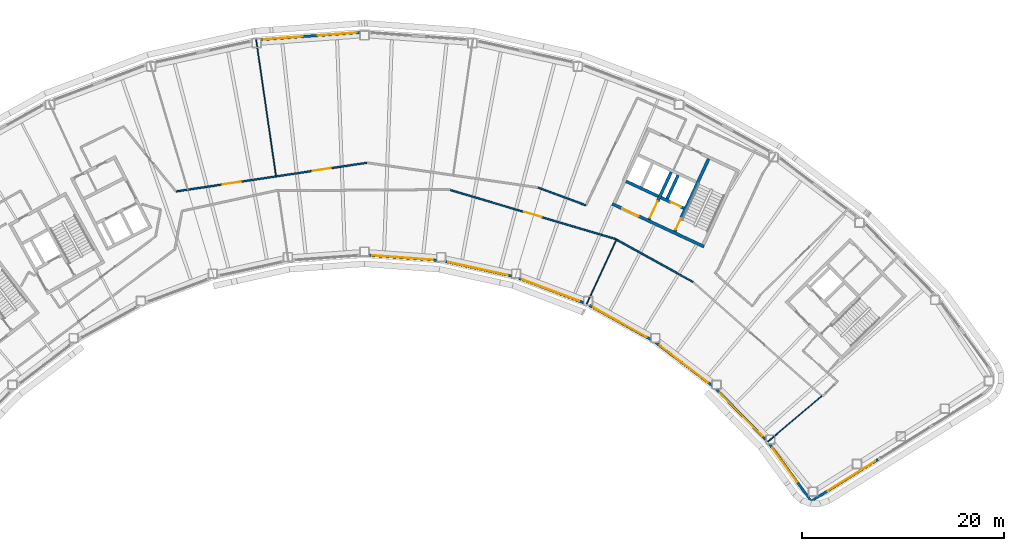
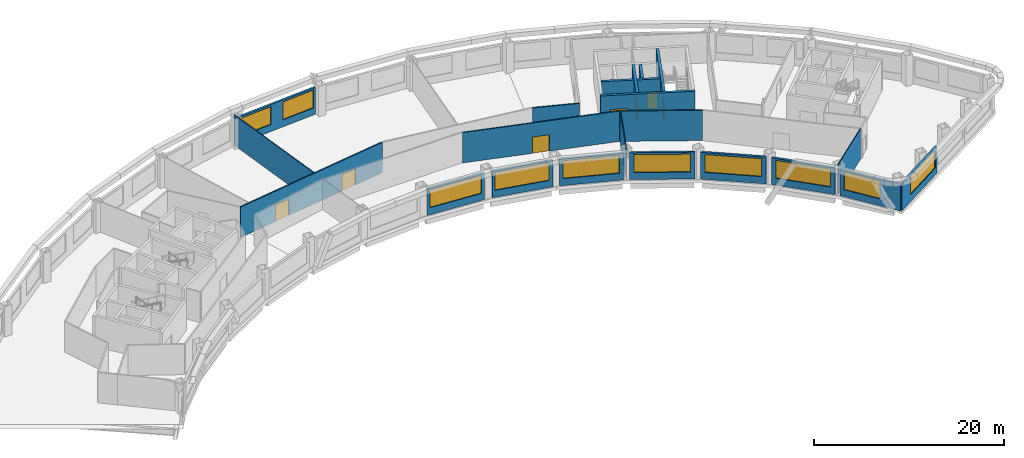
# One storey, part 7 of 12: 22 walls, 10 windows, 7 doors, 17 openings.
"""IFC4 building model written with IfcOpenShell, lengths in metres."""

from ifc_helpers import new_model, si_unit, direction, frame, frame_2d, origin, place, context, subcontext, project, spatial, rectangle, extrude, material, layer, layer_set, type_object, element, fill, save


model = new_model("IFC4")

# Units and contexts
model_context = context("Model", 3, precision=1e-05, world=origin(), true_north=direction((0.0, 1.0)))
body_context = subcontext(model_context, "Body", "Model", "MODEL_VIEW")
ifc_project = project(units=[si_unit("LENGTHUNIT", "METRE"), si_unit("AREAUNIT", "SQUARE_METRE"), si_unit("VOLUMEUNIT", "CUBIC_METRE"), si_unit("PLANEANGLEUNIT", "RADIAN"), si_unit("MASSUNIT", "GRAM", prefix="KILO")], contexts=[model_context])

# Site, building, storey
site_placement = place(None, origin())
site = spatial("IfcSite", under=ifc_project, at=site_placement, CompositionType="ELEMENT")
building_placement = place(site_placement, origin())
building = spatial("IfcBuilding", under=site, at=building_placement, Name="Tuul Gate Civic Tower", CompositionType="ELEMENT")
storey_placement = place(building_placement, frame((0.0, 0.0, 176.300048828125)))
storey = spatial("IfcBuildingStorey", under=building, at=storey_placement, Name="Level 40", CompositionType="ELEMENT", Elevation=176.300048828125)

# Wall, opening, door
ifc_material_1 = material(Name="Concrete C50/60", Category="concrete")
ifc_layer_1 = layer(ifc_material_1, 0.300048828125)
ifc_layer_set_1 = layer_set([ifc_layer_1], Name="Concrete C50/60")
wall_type_1 = type_object("IfcWallType", Name="Core wall C50/60", PredefinedType="SHEAR", material=ifc_layer_set_1)
wall_1_placement = place(storey_placement, frame((34.5283203125, -7.25, 0.0), z_axis=(0.0, 0.0, 1.0), x_axis=(-0.906310338845, 0.422612789327, 0.0)))
wall_1 = element("IfcWall", 1, at=wall_1_placement, inside=storey, type_object=wall_type_1, Name="Core wall", PredefinedType="SHEAR", context=body_context, shape_type="SweptSolid", body=[
    extrude(rectangle(XDim=9.999755859375, YDim=0.300048828125, at=frame_2d((5.0, 0.0))), origin(), (0.0, 0.0, 1.0), 3.89990234375),
])
opening_1_placement = place(wall_1_placement, frame((7.125, 0.0, 0.0)))
opening_1 = element("IfcOpeningElement", 2, at=opening_1_placement, cuts=wall_1, Name="Opening LB-E3-LOBBY-1", PredefinedType="OPENING", context=body_context, shape_type="SweptSolid", body=[
    extrude(rectangle(XDim=1.800048828125, YDim=2.10009765625, at=frame_2d((0.89990234375, 1.050048828125))), frame((0.0, 0.16015625, 0.0), z_axis=(0.0, -1.0, 0.0), x_axis=(1.0, 0.0, 0.0)), (0.0, 0.0, 1.0), 0.320068359375),
])
ifc_material_2 = material(Name="Steel", Category="steel")
door_type_1 = type_object("IfcDoorType", Name="Lobby door", OperationType="DOUBLE_DOOR_SINGLE_SWING", PredefinedType="DOOR", material=ifc_material_2)
door_1_placement = place(opening_1_placement, frame((1.800048828125, 0.0, 0.0), z_axis=(0.0, 0.0, 1.0), x_axis=(-1.0, 0.0, 0.0)))
door_1 = element("IfcDoor", 3, at=door_1_placement, inside=storey, type_object=door_type_1, Name="Lobby door E3-LOBBY", OperationType="DOUBLE_DOOR_SINGLE_SWING", OverallHeight=2.10009765625, OverallWidth=1.800048828125, PredefinedType="DOOR", context=body_context, shape_type="SweptSolid", body=[
    extrude(rectangle(XDim=1.800048828125, YDim=2.10009765625, at=frame_2d((0.900146484375, 1.050048828125))), frame((0.0, 0.02490234375, 0.0), z_axis=(0.0, -1.0, 0.0), x_axis=(1.0, 0.0, 0.0)), (0.0, 0.0, 1.0), 0.050048828125),
])
fill(opening_1, door_1)

wall_2_placement = place(storey_placement, frame((32.545654296875, -3.456787109375, 0.0), z_axis=(0.0, 0.0, 1.0), x_axis=(-0.906300357825, 0.42263419337, 0.0)))
wall_2 = element("IfcWall", 4, at=wall_2_placement, inside=storey, type_object=wall_type_1, Name="Core wall", PredefinedType="SHEAR", context=body_context, shape_type="SweptSolid", body=[
    extrude(rectangle(XDim=2.500244140625, YDim=0.300048828125, at=frame_2d((1.25, 0.0))), origin(), (0.0, 0.0, 1.0), 3.89990234375),
])
opening_2_placement = place(wall_2_placement, frame((0.324951171875, 0.0, 0.0)))
opening_2 = element("IfcOpeningElement", 5, at=opening_2_placement, cuts=wall_2, Name="Opening LD-FF-2", PredefinedType="OPENING", context=body_context, shape_type="SweptSolid", body=[
    extrude(rectangle(XDim=1.10009765625, YDim=2.10009765625, at=frame_2d((0.550048828125, 1.050048828125))), frame((0.0, 0.16015625, 0.0), z_axis=(0.0, -1.0, 0.0), x_axis=(1.0, 0.0, 0.0)), (0.0, 0.0, 1.0), 0.320068359375),
])
ifc_material_3 = material(Name="Stainless steel", Category="steel")
door_type_2 = type_object("IfcDoorType", Name="Landing door", OperationType="DOUBLE_DOOR_SLIDING", PredefinedType="DOOR", material=ifc_material_3)
door_2_placement = place(opening_2_placement, origin())
door_2 = element("IfcDoor", 6, at=door_2_placement, inside=storey, type_object=door_type_2, Name="Fire-fighting lift FF-2 landing door", OperationType="DOUBLE_DOOR_SLIDING", OverallHeight=2.10009765625, OverallWidth=1.10009765625, PredefinedType="DOOR", context=body_context, shape_type="SweptSolid", body=[
    extrude(rectangle(XDim=1.10009765625, YDim=2.10009765625, at=frame_2d((0.550048828125, 1.050048828125))), frame((0.0, 0.02490234375, 0.0), z_axis=(0.0, -1.0, 0.0), x_axis=(1.0, 0.0, 0.0)), (0.0, 0.0, 1.0), 0.050048828125),
])
fill(opening_2, door_2)

# Wall
wall_3_placement = place(storey_placement, frame((30.0078125, -2.2734375, 0.0), z_axis=(0.0, 0.0, 1.0), x_axis=(-0.90630071767, 0.422633421716, 0.0)))
element("IfcWall", 7, at=wall_3_placement, inside=storey, type_object=wall_type_1, Name="Core wall", PredefinedType="SHEAR", context=body_context, shape_type="SweptSolid", body=[
    extrude(rectangle(XDim=3.5, YDim=0.300048828125, at=frame_2d((1.75, 0.0))), origin(), (0.0, 0.0, 1.0), 3.89990234375),
])

# Wall, opening, door
wall_4_placement = place(storey_placement, frame((31.646240234375, -5.740478515625, 0.0), z_axis=(0.0, 0.0, 1.0), x_axis=(0.422582604137, 0.906324413596, 0.0)))
wall_4 = element("IfcWall", 8, at=wall_4_placement, inside=storey, type_object=wall_type_1, Name="Core wall", PredefinedType="SHEAR", context=body_context, shape_type="SweptSolid", body=[
    extrude(rectangle(XDim=7.89990234375, YDim=0.300048828125, at=frame_2d((3.949951171875, 0.0))), origin(), (0.0, 0.0, 1.0), 3.89990234375),
])
opening_3_placement = place(wall_4_placement, frame((0.199951171875, 0.0, 0.0)))
opening_3 = element("IfcOpeningElement", 9, at=opening_3_placement, cuts=wall_4, Name="Opening SD-ST-4", PredefinedType="OPENING", context=body_context, shape_type="SweptSolid", body=[
    extrude(rectangle(XDim=1.199951171875, YDim=2.10009765625, at=frame_2d((0.60009765625, 1.050048828125))), frame((0.0, 0.16015625, 0.0), z_axis=(0.0, -1.0, 0.0), x_axis=(1.0, 0.0, 0.0)), (0.0, 0.0, 1.0), 0.320068359375),
])
ifc_material_4 = material(Name="Steel", Category="steel")
door_type_3 = type_object("IfcDoorType", Name="Stair door", OperationType="NOTDEFINED", PredefinedType="DOOR", material=ifc_material_4)
door_3_placement = place(opening_3_placement, origin())
door_3 = element("IfcDoor", 10, at=door_3_placement, inside=storey, type_object=door_type_3, Name="Stair door ST-4", OperationType="SINGLE_SWING_LEFT", OverallHeight=2.10009765625, OverallWidth=1.199951171875, PredefinedType="DOOR", context=body_context, shape_type="SweptSolid", body=[
    extrude(rectangle(XDim=1.199951171875, YDim=2.10009765625, at=frame_2d((0.60009765625, 1.050048828125))), frame((0.0, 0.02490234375, 0.0), z_axis=(0.0, -1.0, 0.0), x_axis=(1.0, 0.0, 0.0)), (0.0, 0.0, 1.0), 0.050048828125),
])
fill(opening_3, door_3)

# Wall
wall_5_placement = place(storey_placement, frame((30.886962890625, -2.517822265625, 0.0), z_axis=(0.0, 0.0, 1.0), x_axis=(0.422612891016, 0.906310291427, 0.0)))
element("IfcWall", 11, at=wall_5_placement, inside=storey, type_object=wall_type_1, Name="Core wall", PredefinedType="SHEAR", context=body_context, shape_type="SweptSolid", body=[
    extrude(rectangle(XDim=2.550048828125, YDim=0.300048828125, at=frame_2d((1.27490234375, 0.0))), origin(), (0.0, 0.0, 1.0), 3.89990234375),
])

# Wall, opening, door
wall_6_placement = place(storey_placement, frame((29.108642578125, -4.557373046875, 0.0), z_axis=(0.0, 0.0, 1.0), x_axis=(0.422566235356, 0.90633204552, 0.0)))
wall_6 = element("IfcWall", 12, at=wall_6_placement, inside=storey, type_object=wall_type_1, Name="Core wall", PredefinedType="SHEAR", context=body_context, shape_type="SweptSolid", body=[
    extrude(rectangle(XDim=5.150146484375, YDim=0.300048828125, at=frame_2d((2.5751953125, 0.0))), origin(), (0.0, 0.0, 1.0), 3.89990234375),
])
opening_4_placement = place(wall_6_placement, frame((0.175048828125, 0.0, 0.0)))
opening_4 = element("IfcOpeningElement", 13, at=opening_4_placement, cuts=wall_6, Name="Opening LB-E3-FLOBBY-1", PredefinedType="OPENING", context=body_context, shape_type="SweptSolid", body=[
    extrude(rectangle(XDim=1.800048828125, YDim=2.10009765625, at=frame_2d((0.89990234375, 1.050048828125))), frame((0.0, 0.16015625, 0.0), z_axis=(0.0, -1.0, 0.0), x_axis=(1.0, 0.0, 0.0)), (0.0, 0.0, 1.0), 0.320068359375),
])
door_4_placement = place(opening_4_placement, frame((1.800048828125, 0.0, 0.0), z_axis=(0.0, 0.0, 1.0), x_axis=(-1.0, 0.0, 0.0)))
door_4 = element("IfcDoor", 14, at=door_4_placement, inside=storey, type_object=door_type_1, Name="Lobby door E3-FLOBBY", OperationType="DOUBLE_DOOR_SINGLE_SWING", OverallHeight=2.10009765625, OverallWidth=1.800048828125, PredefinedType="DOOR", context=body_context, shape_type="SweptSolid", body=[
    extrude(rectangle(XDim=1.800048828125, YDim=2.10009765625, at=frame_2d((0.900146484375, 1.050048828125))), frame((0.0, 0.02490234375, 0.0), z_axis=(0.0, -1.0, 0.0), x_axis=(1.0, 0.0, 0.0)), (0.0, 0.0, 1.0), 0.050048828125),
])
fill(opening_4, door_4)

# Wall
ifc_material_5 = material(Name="Gypsum board partition")
ifc_layer_2 = layer(ifc_material_5, 0.14990234375)
ifc_layer_set_2 = layer_set([ifc_layer_2], Name="Gypsum board partition")
wall_type_2 = type_object("IfcWallType", Name="Corridor wall P150", PredefinedType="PARTITIONING", material=ifc_layer_set_2)
wall_7_placement = place(storey_placement, frame((18.13916015625, -1.413818359375, 0.0), z_axis=(0.0, 0.0, 1.0), x_axis=(0.937349016242, -0.348391764758, 0.0)))
element("IfcWall", 15, at=wall_7_placement, inside=storey, type_object=wall_type_2, Name="p015", PredefinedType="PARTITIONING", context=body_context, shape_type="SweptSolid", body=[
    extrude(rectangle(XDim=5.017578125, YDim=0.14990234375, at=frame_2d((2.5087890625, 0.0))), origin(), (0.0, 0.0, 1.0), 3.89990234375),
])

# Wall, openings, doors
wall_8_placement = place(storey_placement, frame((-17.62841796875, -1.7958984375, 0.0), z_axis=(0.0, 0.0, 1.0), x_axis=(0.988920591433, 0.148445491138, 0.0)))
wall_8 = element("IfcWall", 16, at=wall_8_placement, inside=storey, type_object=wall_type_2, Name="p019", PredefinedType="PARTITIONING", context=body_context, shape_type="SweptSolid", body=[
    extrude(rectangle(XDim=19.094482421875, YDim=0.14990234375, at=frame_2d((9.54736328125, 0.0))), origin(), (0.0, 0.0, 1.0), 3.89990234375),
])
opening_5_placement = place(wall_8_placement, frame((13.644775390625, 0.0, 0.0)))
opening_5 = element("IfcOpeningElement", 17, at=opening_5_placement, cuts=wall_8, Name="Opening N-D04", PredefinedType="OPENING", context=body_context, shape_type="SweptSolid", body=[
    extrude(rectangle(XDim=1.800048828125, YDim=2.10009765625, at=frame_2d((0.89990234375, 1.050048828125))), frame((0.0, 0.0849609375, 0.0), z_axis=(0.0, -1.0, 0.0), x_axis=(1.0, 0.0, 0.0)), (0.0, 0.0, 1.0), 0.169921875),
])
opening_6_placement = place(wall_8_placement, frame((4.685302734375, 0.0, 0.0)))
opening_6 = element("IfcOpeningElement", 18, at=opening_6_placement, cuts=wall_8, Name="Opening N-D05", PredefinedType="OPENING", context=body_context, shape_type="SweptSolid", body=[
    extrude(rectangle(XDim=1.800048828125, YDim=2.10009765625, at=frame_2d((0.89990234375, 1.050048828125))), frame((0.0, 0.0849609375, 0.0), z_axis=(0.0, -1.0, 0.0), x_axis=(1.0, 0.0, 0.0)), (0.0, 0.0, 1.0), 0.169921875),
])
ifc_material_6 = material(Name="Timber door leaf, double", Category="wood")
door_type_4 = type_object("IfcDoorType", Name="Door D18", OperationType="DOUBLE_DOOR_SINGLE_SWING", PredefinedType="DOOR", material=ifc_material_6)
door_5_placement = place(opening_5_placement, origin())
door_5 = element("IfcDoor", 19, at=door_5_placement, inside=storey, type_object=door_type_4, Name="Door N-D04", OperationType="DOUBLE_DOOR_SINGLE_SWING", OverallHeight=2.10009765625, OverallWidth=1.800048828125, PredefinedType="DOOR", context=body_context, shape_type="SweptSolid", body=[
    extrude(rectangle(XDim=1.800048828125, YDim=2.10009765625, at=frame_2d((0.89990234375, 1.050048828125))), frame((0.0, 0.02490234375, 0.0), z_axis=(0.0, -1.0, 0.0), x_axis=(1.0, 0.0, 0.0)), (0.0, 0.0, 1.0), 0.050048828125),
])
fill(opening_5, door_5)
door_6_placement = place(opening_6_placement, origin())
door_6 = element("IfcDoor", 20, at=door_6_placement, inside=storey, type_object=door_type_4, Name="Door N-D05", OperationType="DOUBLE_DOOR_SINGLE_SWING", OverallHeight=2.10009765625, OverallWidth=1.800048828125, PredefinedType="DOOR", context=body_context, shape_type="SweptSolid", body=[
    extrude(rectangle(XDim=1.800048828125, YDim=2.10009765625, at=frame_2d((0.89990234375, 1.050048828125))), frame((0.0, 0.02490234375, 0.0), z_axis=(0.0, -1.0, 0.0), x_axis=(1.0, 0.0, 0.0)), (0.0, 0.0, 1.0), 0.050048828125),
])
fill(opening_6, door_6)

# Wall
wall_9_placement = place(storey_placement, frame((25.76953125, -6.490234375, 0.0), z_axis=(0.0, 0.0, 1.0), x_axis=(0.874950264621, -0.484212798715, 0.0)))
element("IfcWall", 21, at=wall_9_placement, inside=storey, type_object=wall_type_2, Name="p039", PredefinedType="PARTITIONING", context=body_context, shape_type="SweptSolid", body=[
    extrude(rectangle(XDim=8.773193359375, YDim=0.14990234375, at=frame_2d((4.38671875, 0.0))), origin(), (0.0, 0.0, 1.0), 3.89990234375),
])

# Wall, opening, door
wall_10_placement = place(storey_placement, frame((9.481689453125, -1.662841796875, 0.0), z_axis=(0.0, 0.0, 1.0), x_axis=(0.958772302271, -0.284175425393, 0.0)))
wall_10 = element("IfcWall", 22, at=wall_10_placement, inside=storey, type_object=wall_type_2, Name="p042", PredefinedType="PARTITIONING", context=body_context, shape_type="SweptSolid", body=[
    extrude(rectangle(XDim=16.98828125, YDim=0.14990234375, at=frame_2d((8.494140625, 0.0))), origin(), (0.0, 0.0, 1.0), 3.89990234375),
])
opening_7_placement = place(wall_10_placement, frame((7.593994140625, 0.0, 0.0)))
opening_7 = element("IfcOpeningElement", 23, at=opening_7_placement, cuts=wall_10, Name="Opening N-D09", PredefinedType="OPENING", context=body_context, shape_type="SweptSolid", body=[
    extrude(rectangle(XDim=1.800048828125, YDim=2.10009765625, at=frame_2d((0.89990234375, 1.050048828125))), frame((0.0, 0.0849609375, 0.0), z_axis=(0.0, -1.0, 0.0), x_axis=(1.0, 0.0, 0.0)), (0.0, 0.0, 1.0), 0.169921875),
])
door_7_placement = place(opening_7_placement, frame((1.800048828125, 0.0, 0.0), z_axis=(0.0, 0.0, 1.0), x_axis=(-1.0, 0.0, 0.0)))
door_7 = element("IfcDoor", 24, at=door_7_placement, inside=storey, type_object=door_type_4, Name="Door N-D09", OperationType="DOUBLE_DOOR_SINGLE_SWING", OverallHeight=2.10009765625, OverallWidth=1.800048828125, PredefinedType="DOOR", context=body_context, shape_type="SweptSolid", body=[
    extrude(rectangle(XDim=1.800048828125, YDim=2.10009765625, at=frame_2d((0.900146484375, 1.050048828125))), frame((0.0, 0.02490234375, 0.0), z_axis=(0.0, -1.0, 0.0), x_axis=(1.0, 0.0, 0.0)), (0.0, 0.0, 1.0), 0.050048828125),
])
fill(opening_7, door_7)

# Wall, openings, windows
ifc_material_7 = material(Name="Precast concrete C40/50", Category="concrete")
ifc_layer_3 = layer(ifc_material_7, 0.25)
ifc_layer_set_3 = layer_set([ifc_layer_3], Name="Precast concrete C40/50")
wall_type_3 = type_object("IfcWallType", Name="External wall", PredefinedType="STANDARD", material=ifc_layer_set_3)
wall_11_placement = place(storey_placement, frame((0.5400390625, 13.9091796875, 0.0), z_axis=(0.0, 0.0, 1.0), x_axis=(-0.997386439479, -0.072251576758, 0.0)))
wall_11 = element("IfcWall", 25, at=wall_11_placement, inside=storey, type_object=wall_type_3, Name="External wall", PredefinedType="STANDARD", context=body_context, shape_type="SweptSolid", body=[
    extrude(rectangle(XDim=9.775634765625, YDim=0.25, at=frame_2d((4.8876953125, 0.0))), origin(), (0.0, 0.0, 1.0), 3.449951171875),
])
opening_8_placement = place(wall_11_placement, frame((0.300537109375, 0.0, 0.89990234375)))
opening_8 = element("IfcOpeningElement", 26, at=opening_8_placement, cuts=wall_11, Name="Opening W22", PredefinedType="OPENING", context=body_context, shape_type="SweptSolid", body=[
    extrude(rectangle(XDim=3.85009765625, YDim=2.300048828125, at=frame_2d((1.925048828125, 1.14990234375))), frame((0.0, 0.135009765625, 0.0), z_axis=(0.0, -1.0, 0.0), x_axis=(1.0, 0.0, 0.0)), (0.0, 0.0, 1.0), 0.27001953125),
])
opening_9_placement = place(wall_11_placement, frame((5.672119140625, 0.0, 0.89990234375)))
opening_9 = element("IfcOpeningElement", 27, at=opening_9_placement, cuts=wall_11, Name="Opening W22", PredefinedType="OPENING", context=body_context, shape_type="SweptSolid", body=[
    extrude(rectangle(XDim=3.85009765625, YDim=2.300048828125, at=frame_2d((1.925048828125, 1.14990234375))), frame((0.0, 0.135009765625, 0.0), z_axis=(0.0, -1.0, 0.0), x_axis=(1.0, 0.0, 0.0)), (0.0, 0.0, 1.0), 0.27001953125),
])
ifc_material_8 = material(Name="Glass", Category="glass")
window_type_1 = type_object("IfcWindowType", Name="Window W22 3850 x 2300", PartitioningType="SINGLE_PANEL", PredefinedType="WINDOW", material=ifc_material_8)
window_1_placement = place(opening_8_placement, origin())
window_1 = element("IfcWindow", 28, at=window_1_placement, inside=storey, type_object=window_type_1, Name="Window", OverallHeight=2.300048828125, OverallWidth=3.85009765625, PartitioningType="SINGLE_PANEL", PredefinedType="WINDOW", context=body_context, shape_type="SweptSolid", body=[
    extrude(rectangle(XDim=3.85009765625, YDim=2.300048828125, at=frame_2d((1.925048828125, 1.14990234375))), frame((0.0, 0.030029296875, 0.0), z_axis=(0.0, -1.0, 0.0), x_axis=(1.0, 0.0, 0.0)), (0.0, 0.0, 1.0), 0.06005859375),
])
fill(opening_8, window_1)
window_2_placement = place(opening_9_placement, origin())
window_2 = element("IfcWindow", 29, at=window_2_placement, inside=storey, type_object=window_type_1, Name="Window", OverallHeight=2.300048828125, OverallWidth=3.85009765625, PartitioningType="SINGLE_PANEL", PredefinedType="WINDOW", context=body_context, shape_type="SweptSolid", body=[
    extrude(rectangle(XDim=3.85009765625, YDim=2.300048828125, at=frame_2d((1.925048828125, 1.14990234375))), frame((0.0, 0.030029296875, 0.0), z_axis=(0.0, -1.0, 0.0), x_axis=(1.0, 0.0, 0.0)), (0.0, 0.0, 1.0), 0.06005859375),
])
fill(opening_9, window_2)

# Wall, opening, window
wall_12_placement = place(storey_placement, frame((1.43994140625, -8.098388671875, 0.0), z_axis=(0.0, 0.0, 1.0), x_axis=(0.99738574908, -0.072261106633, 0.0)))
wall_12 = element("IfcWall", 30, at=wall_12_placement, inside=storey, type_object=wall_type_3, Name="External wall", PredefinedType="STANDARD", context=body_context, shape_type="SweptSolid", body=[
    extrude(rectangle(XDim=6.689697265625, YDim=0.25, at=frame_2d((3.3447265625, 0.0))), origin(), (0.0, 0.0, 1.0), 3.449951171875),
])
opening_10_placement = place(wall_12_placement, frame((0.3212890625, 0.0, 0.89990234375)))
opening_10 = element("IfcOpeningElement", 31, at=opening_10_placement, cuts=wall_12, Name="Opening W26", PredefinedType="OPENING", context=body_context, shape_type="SweptSolid", body=[
    extrude(rectangle(XDim=6.0, YDim=2.300048828125, at=frame_2d((3.0, 1.14990234375))), frame((0.0, 0.135009765625, 0.0), z_axis=(0.0, -1.0, 0.0), x_axis=(1.0, 0.0, 0.0)), (0.0, 0.0, 1.0), 0.27001953125),
])
ifc_material_9 = material(Name="Glass", Category="glass")
window_type_2 = type_object("IfcWindowType", Name="Window W26 6000 x 2300", PartitioningType="SINGLE_PANEL", PredefinedType="WINDOW", material=ifc_material_9)
window_3_placement = place(opening_10_placement, origin())
window_3 = element("IfcWindow", 32, at=window_3_placement, inside=storey, type_object=window_type_2, Name="Window", OverallHeight=2.300048828125, OverallWidth=6.0, PartitioningType="SINGLE_PANEL", PredefinedType="WINDOW", context=body_context, shape_type="SweptSolid", body=[
    extrude(rectangle(XDim=6.0, YDim=2.300048828125, at=frame_2d((3.0, 1.14990234375))), frame((0.0, 0.030029296875, 0.0), z_axis=(0.0, -1.0, 0.0), x_axis=(1.0, 0.0, 0.0)), (0.0, 0.0, 1.0), 0.06005859375),
])
fill(opening_10, window_3)

wall_13_placement = place(storey_placement, frame((9.011962890625, -8.720458984375, 0.0), z_axis=(0.0, 0.0, 1.0), x_axis=(0.976558520258, -0.21525207667, 0.0)))
wall_13 = element("IfcWall", 33, at=wall_13_placement, inside=storey, type_object=wall_type_3, Name="External wall", PredefinedType="STANDARD", context=body_context, shape_type="SweptSolid", body=[
    extrude(rectangle(XDim=6.670166015625, YDim=0.25, at=frame_2d((3.3349609375, 0.0))), origin(), (0.0, 0.0, 1.0), 3.449951171875),
])
opening_11_placement = place(wall_13_placement, frame((0.263427734375, 0.0, 0.89990234375)))
opening_11 = element("IfcOpeningElement", 34, at=opening_11_placement, cuts=wall_13, Name="Opening W26", PredefinedType="OPENING", context=body_context, shape_type="SweptSolid", body=[
    extrude(rectangle(XDim=6.0, YDim=2.300048828125, at=frame_2d((3.0, 1.14990234375))), frame((0.0, 0.135009765625, 0.0), z_axis=(0.0, -1.0, 0.0), x_axis=(1.0, 0.0, 0.0)), (0.0, 0.0, 1.0), 0.27001953125),
])
window_4_placement = place(opening_11_placement, origin())
window_4 = element("IfcWindow", 35, at=window_4_placement, inside=storey, type_object=window_type_2, Name="Window", OverallHeight=2.300048828125, OverallWidth=6.0, PartitioningType="SINGLE_PANEL", PredefinedType="WINDOW", context=body_context, shape_type="SweptSolid", body=[
    extrude(rectangle(XDim=6.0, YDim=2.300048828125, at=frame_2d((3.0, 1.14990234375))), frame((0.0, 0.030029296875, 0.0), z_axis=(0.0, -1.0, 0.0), x_axis=(1.0, 0.0, 0.0)), (0.0, 0.0, 1.0), 0.06005859375),
])
fill(opening_11, window_4)

wall_14_placement = place(storey_placement, frame((16.248046875, -10.373046875, 0.0), z_axis=(0.0, 0.0, 1.0), x_axis=(0.935360534404, -0.353695731779, 0.0)))
wall_14 = element("IfcWall", 36, at=wall_14_placement, inside=storey, type_object=wall_type_3, Name="External wall", PredefinedType="STANDARD", context=body_context, shape_type="SweptSolid", body=[
    extrude(rectangle(XDim=6.81982421875, YDim=0.25, at=frame_2d((3.409912109375, 0.0))), origin(), (0.0, 0.0, 1.0), 3.449951171875),
])
opening_12_placement = place(wall_14_placement, frame((0.3818359375, 0.0, 0.89990234375)))
opening_12 = element("IfcOpeningElement", 37, at=opening_12_placement, cuts=wall_14, Name="Opening W26", PredefinedType="OPENING", context=body_context, shape_type="SweptSolid", body=[
    extrude(rectangle(XDim=6.0, YDim=2.300048828125, at=frame_2d((3.0, 1.14990234375))), frame((0.0, 0.135009765625, 0.0), z_axis=(0.0, -1.0, 0.0), x_axis=(1.0, 0.0, 0.0)), (0.0, 0.0, 1.0), 0.27001953125),
])
window_5_placement = place(opening_12_placement, origin())
window_5 = element("IfcWindow", 38, at=window_5_placement, inside=storey, type_object=window_type_2, Name="Window", OverallHeight=2.300048828125, OverallWidth=6.0, PartitioningType="SINGLE_PANEL", PredefinedType="WINDOW", context=body_context, shape_type="SweptSolid", body=[
    extrude(rectangle(XDim=6.0, YDim=2.300048828125, at=frame_2d((3.0, 1.14990234375))), frame((0.0, 0.030029296875, 0.0), z_axis=(0.0, -1.0, 0.0), x_axis=(1.0, 0.0, 0.0)), (0.0, 0.0, 1.0), 0.06005859375),
])
fill(opening_12, window_5)

wall_15_placement = place(storey_placement, frame((23.21875, -13.05810546875, 0.0), z_axis=(0.0, 0.0, 1.0), x_axis=(0.874638200543, -0.484776255763, 0.0)))
wall_15 = element("IfcWall", 39, at=wall_15_placement, inside=storey, type_object=wall_type_3, Name="External wall", PredefinedType="STANDARD", context=body_context, shape_type="SweptSolid", body=[
    extrude(rectangle(XDim=6.9140625, YDim=0.25, at=frame_2d((3.45703125, 0.0))), origin(), (0.0, 0.0, 1.0), 3.449951171875),
])
opening_13_placement = place(wall_15_placement, frame((0.453369140625, 0.0, 0.89990234375)))
opening_13 = element("IfcOpeningElement", 40, at=opening_13_placement, cuts=wall_15, Name="Opening W26", PredefinedType="OPENING", context=body_context, shape_type="SweptSolid", body=[
    extrude(rectangle(XDim=6.0, YDim=2.300048828125, at=frame_2d((3.0, 1.14990234375))), frame((0.0, 0.135009765625, 0.0), z_axis=(0.0, -1.0, 0.0), x_axis=(1.0, 0.0, 0.0)), (0.0, 0.0, 1.0), 0.27001953125),
])
window_6_placement = place(opening_13_placement, origin())
window_6 = element("IfcWindow", 41, at=window_6_placement, inside=storey, type_object=window_type_2, Name="Window", OverallHeight=2.300048828125, OverallWidth=6.0, PartitioningType="SINGLE_PANEL", PredefinedType="WINDOW", context=body_context, shape_type="SweptSolid", body=[
    extrude(rectangle(XDim=6.0, YDim=2.300048828125, at=frame_2d((3.0, 1.14990234375))), frame((0.0, 0.030029296875, 0.0), z_axis=(0.0, -1.0, 0.0), x_axis=(1.0, 0.0, 0.0)), (0.0, 0.0, 1.0), 0.06005859375),
])
fill(opening_13, window_6)

wall_16_placement = place(storey_placement, frame((29.770751953125, -16.738037109375, 0.0), z_axis=(0.0, 0.0, 1.0), x_axis=(0.795583108554, -0.605844466331, 0.0)))
wall_16 = element("IfcWall", 42, at=wall_16_placement, inside=storey, type_object=wall_type_3, Name="External wall", PredefinedType="STANDARD", context=body_context, shape_type="SweptSolid", body=[
    extrude(rectangle(XDim=6.95849609375, YDim=0.25, at=frame_2d((3.479248046875, 0.0))), origin(), (0.0, 0.0, 1.0), 3.449951171875),
])
opening_14_placement = place(wall_16_placement, frame((0.480224609375, 0.0, 0.89990234375)))
opening_14 = element("IfcOpeningElement", 43, at=opening_14_placement, cuts=wall_16, Name="Opening W26", PredefinedType="OPENING", context=body_context, shape_type="SweptSolid", body=[
    extrude(rectangle(XDim=6.0, YDim=2.300048828125, at=frame_2d((3.0, 1.14990234375))), frame((0.0, 0.135009765625, 0.0), z_axis=(0.0, -1.0, 0.0), x_axis=(1.0, 0.0, 0.0)), (0.0, 0.0, 1.0), 0.27001953125),
])
window_7_placement = place(opening_14_placement, origin())
window_7 = element("IfcWindow", 44, at=window_7_placement, inside=storey, type_object=window_type_2, Name="Window", OverallHeight=2.300048828125, OverallWidth=6.0, PartitioningType="SINGLE_PANEL", PredefinedType="WINDOW", context=body_context, shape_type="SweptSolid", body=[
    extrude(rectangle(XDim=6.0, YDim=2.300048828125, at=frame_2d((3.0, 1.14990234375))), frame((0.0, 0.030029296875, 0.0), z_axis=(0.0, -1.0, 0.0), x_axis=(1.0, 0.0, 0.0)), (0.0, 0.0, 1.0), 0.06005859375),
])
fill(opening_14, window_7)

wall_17_placement = place(storey_placement, frame((35.741943359375, -21.3369140625, 0.0), z_axis=(0.0, 0.0, 1.0), x_axis=(0.700101181113, -0.71404365147, 0.0)))
wall_17 = element("IfcWall", 45, at=wall_17_placement, inside=storey, type_object=wall_type_3, Name="External wall", PredefinedType="STANDARD", context=body_context, shape_type="SweptSolid", body=[
    extrude(rectangle(XDim=6.96923828125, YDim=0.25, at=frame_2d((3.484619140625, 0.0))), origin(), (0.0, 0.0, 1.0), 3.449951171875),
])
opening_15_placement = place(wall_17_placement, frame((0.485107421875, 0.0, 0.89990234375)))
opening_15 = element("IfcOpeningElement", 46, at=opening_15_placement, cuts=wall_17, Name="Opening W26", PredefinedType="OPENING", context=body_context, shape_type="SweptSolid", body=[
    extrude(rectangle(XDim=6.0, YDim=2.300048828125, at=frame_2d((3.0, 1.14990234375))), frame((0.0, 0.135009765625, 0.0), z_axis=(0.0, -1.0, 0.0), x_axis=(1.0, 0.0, 0.0)), (0.0, 0.0, 1.0), 0.27001953125),
])
window_8_placement = place(opening_15_placement, origin())
window_8 = element("IfcWindow", 47, at=window_8_placement, inside=storey, type_object=window_type_2, Name="Window", OverallHeight=2.300048828125, OverallWidth=6.0, PartitioningType="SINGLE_PANEL", PredefinedType="WINDOW", context=body_context, shape_type="SweptSolid", body=[
    extrude(rectangle(XDim=6.0, YDim=2.300048828125, at=frame_2d((3.0, 1.14990234375))), frame((0.0, 0.030029296875, 0.0), z_axis=(0.0, -1.0, 0.0), x_axis=(1.0, 0.0, 0.0)), (0.0, 0.0, 1.0), 0.06005859375),
])
fill(opening_15, window_8)

wall_18_placement = place(storey_placement, frame((40.997802734375, -26.759033203125, 0.0), z_axis=(0.0, 0.0, 1.0), x_axis=(0.589748783254, -0.807586758591, 0.0)))
wall_18 = element("IfcWall", 48, at=wall_18_placement, inside=storey, type_object=wall_type_3, Name="External wall", PredefinedType="STANDARD", context=body_context, shape_type="SweptSolid", body=[
    extrude(rectangle(XDim=6.97216796875, YDim=0.25, at=frame_2d((3.486083984375, 0.0))), origin(), (0.0, 0.0, 1.0), 3.449951171875),
])
opening_16_placement = place(wall_18_placement, frame((0.46435546875, 0.0, 0.89990234375)))
opening_16 = element("IfcOpeningElement", 49, at=opening_16_placement, cuts=wall_18, Name="Opening W25", PredefinedType="OPENING", context=body_context, shape_type="SweptSolid", body=[
    extrude(rectangle(XDim=4.14990234375, YDim=2.300048828125, at=frame_2d((2.074951171875, 1.14990234375))), frame((0.0, 0.135009765625, 0.0), z_axis=(0.0, -1.0, 0.0), x_axis=(1.0, 0.0, 0.0)), (0.0, 0.0, 1.0), 0.27001953125),
])
ifc_material_10 = material(Name="Glass", Category="glass")
window_type_3 = type_object("IfcWindowType", Name="Window W25 4150 x 2300", PartitioningType="SINGLE_PANEL", PredefinedType="WINDOW", material=ifc_material_10)
window_9_placement = place(opening_16_placement, origin())
window_9 = element("IfcWindow", 50, at=window_9_placement, inside=storey, type_object=window_type_3, Name="Window", OverallHeight=2.300048828125, OverallWidth=4.14990234375, PartitioningType="SINGLE_PANEL", PredefinedType="WINDOW", context=body_context, shape_type="SweptSolid", body=[
    extrude(rectangle(XDim=4.14990234375, YDim=2.300048828125, at=frame_2d((2.074951171875, 1.14990234375))), frame((0.0, 0.030029296875, 0.0), z_axis=(0.0, -1.0, 0.0), x_axis=(1.0, 0.0, 0.0)), (0.0, 0.0, 1.0), 0.06005859375),
])
fill(opening_16, window_9)

wall_19_placement = place(storey_placement, frame((45.109619140625, -32.3896484375, 0.0), z_axis=(0.0, 0.0, 1.0), x_axis=(0.848047613046, 0.52992003737, 0.0)))
wall_19 = element("IfcWall", 51, at=wall_19_placement, inside=storey, type_object=wall_type_3, Name="External wall", PredefinedType="STANDARD", context=body_context, shape_type="SweptSolid", body=[
    extrude(rectangle(XDim=7.787841796875, YDim=0.25, at=frame_2d((3.89404296875, 0.0))), origin(), (0.0, 0.0, 1.0), 3.449951171875),
])
opening_17_placement = place(wall_19_placement, frame((1.92138671875, 0.0, 0.89990234375)))
opening_17 = element("IfcOpeningElement", 52, at=opening_17_placement, cuts=wall_19, Name="Opening W24", PredefinedType="OPENING", context=body_context, shape_type="SweptSolid", body=[
    extrude(rectangle(XDim=5.550048828125, YDim=2.300048828125, at=frame_2d((2.77490234375, 1.14990234375))), frame((0.0, 0.135009765625, 0.0), z_axis=(0.0, -1.0, 0.0), x_axis=(1.0, 0.0, 0.0)), (0.0, 0.0, 1.0), 0.27001953125),
])
ifc_material_11 = material(Name="Glass", Category="glass")
window_type_4 = type_object("IfcWindowType", Name="Window W24 5550 x 2300", PartitioningType="SINGLE_PANEL", PredefinedType="WINDOW", material=ifc_material_11)
window_10_placement = place(opening_17_placement, origin())
window_10 = element("IfcWindow", 53, at=window_10_placement, inside=storey, type_object=window_type_4, Name="Window", OverallHeight=2.300048828125, OverallWidth=5.550048828125, PartitioningType="SINGLE_PANEL", PredefinedType="WINDOW", context=body_context, shape_type="SweptSolid", body=[
    extrude(rectangle(XDim=5.550048828125, YDim=2.300048828125, at=frame_2d((2.77490234375, 1.14990234375))), frame((0.0, 0.030029296875, 0.0), z_axis=(0.0, -1.0, 0.0), x_axis=(1.0, 0.0, 0.0)), (0.0, 0.0, 1.0), 0.06005859375),
])
fill(opening_17, window_10)

# Walls
ifc_material_12 = material(Name="Gypsum board partition")
ifc_layer_4 = layer(ifc_material_12, 0.10009765625)
ifc_layer_set_4 = layer_set([ifc_layer_4], Name="Gypsum board partition")
wall_type_4 = type_object("IfcWallType", Name="Partition P100", PredefinedType="PARTITIONING", material=ifc_layer_set_4)
wall_20_placement = place(storey_placement, frame((-9.707275390625, 13.172119140625, 0.0), z_axis=(0.0, 0.0, 1.0), x_axis=(0.144104772181, -0.989562435946, 0.0)))
element("IfcWall", 54, at=wall_20_placement, inside=storey, type_object=wall_type_4, Name="p017", PredefinedType="PARTITIONING", context=body_context, shape_type="SweptSolid", body=[
    extrude(rectangle(XDim=13.62646484375, YDim=0.10009765625, at=frame_2d((6.813232421875, 0.0))), origin(), (0.0, 0.0, 1.0), 3.89990234375),
])
wall_21_placement = place(storey_placement, frame((22.9375, -12.90771484375, 0.0), z_axis=(0.0, 0.0, 1.0), x_axis=(0.420370728325, 0.907352440217, 0.0)))
element("IfcWall", 55, at=wall_21_placement, inside=storey, type_object=wall_type_4, Name="p038", PredefinedType="PARTITIONING", context=body_context, shape_type="SweptSolid", body=[
    extrude(rectangle(XDim=7.004150390625, YDim=0.10009765625, at=frame_2d((3.501953125, 0.0))), origin(), (0.0, 0.0, 1.0), 3.89990234375),
])
wall_22_placement = place(storey_placement, frame((40.81884765625, -26.5224609375, 0.0), z_axis=(0.0, 0.0, 1.0), x_axis=(0.762833064654, 0.646595480552, 0.0)))
element("IfcWall", 56, at=wall_22_placement, inside=storey, type_object=wall_type_4, Name="p041", PredefinedType="PARTITIONING", context=body_context, shape_type="SweptSolid", body=[
    extrude(rectangle(XDim=7.017333984375, YDim=0.10009765625, at=frame_2d((3.5087890625, 0.0))), origin(), (0.0, 0.0, 1.0), 3.89990234375),
])

save(model, "model.ifc")
